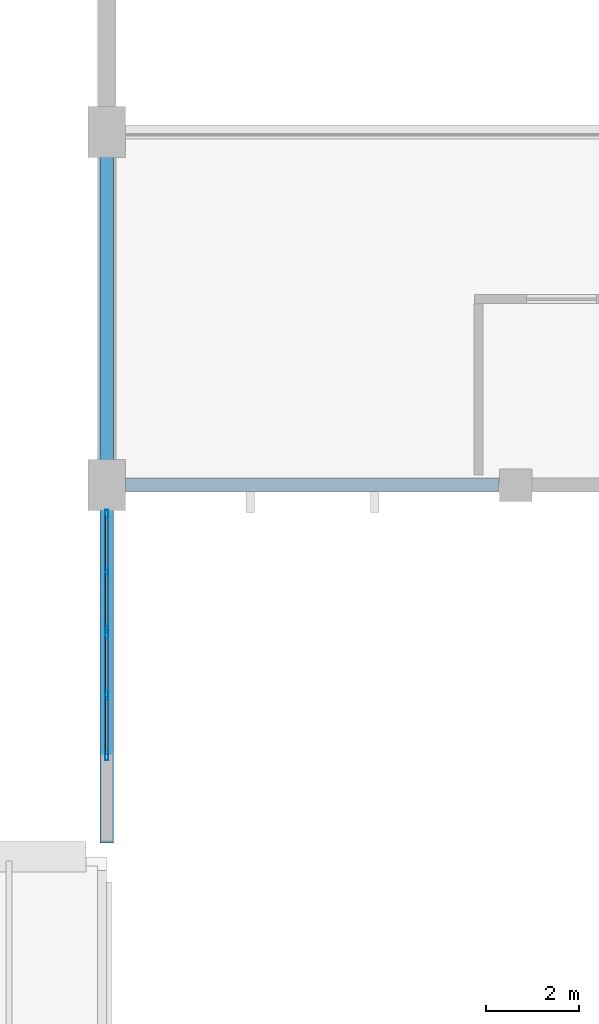
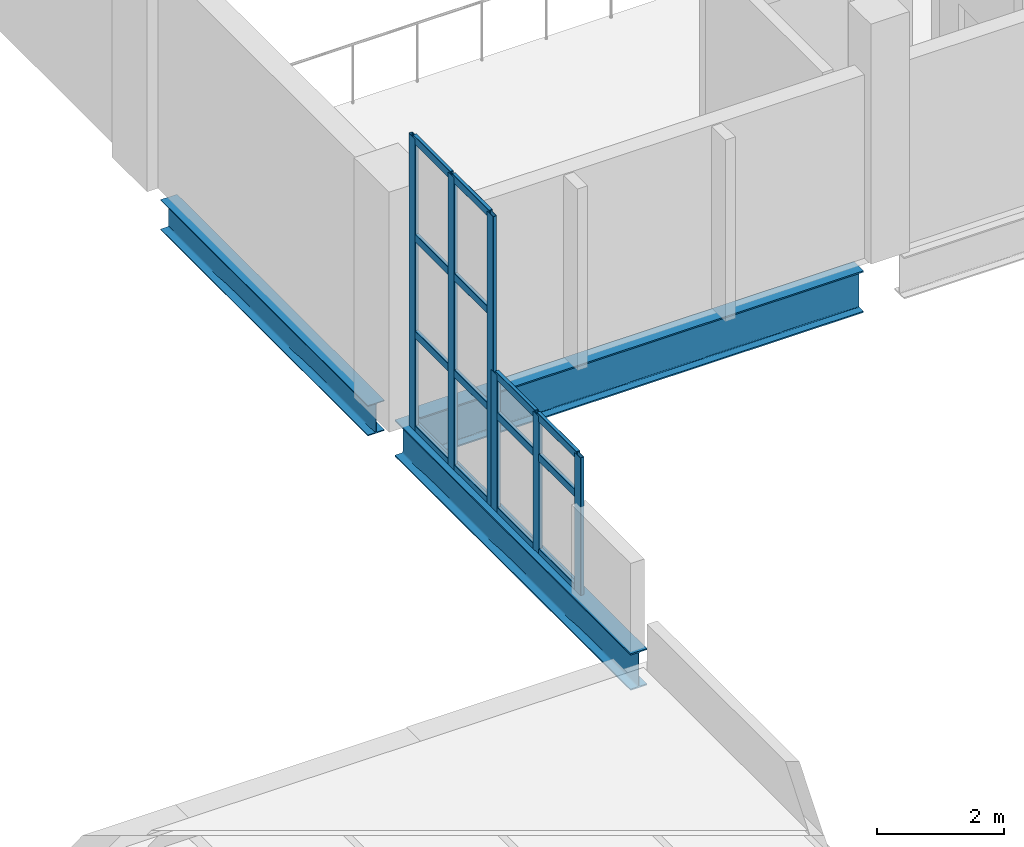
# One storey, part 12 of 37: 20 members, 3 beams, 2 elements without a shape of their own.
"""IFC4 building model written with IfcOpenShell, lengths in metres."""

from ifc_helpers import new_model, si_unit, direction, frame, origin, origin_2d, place, context, subcontext, project, spatial, hollow_rectangle, i_section, extrude, material, material_profile, profile_set, type_object, element, aggregate, save


model = new_model("IFC4")

# Units and contexts
model_context = context("Model", 3, precision=1e-05, world=origin(), true_north=direction((0.0, 1.0)))
body_context = subcontext(model_context, "Body", "Model", "MODEL_VIEW")
ifc_project = project(units=[si_unit("LENGTHUNIT", "METRE"), si_unit("AREAUNIT", "SQUARE_METRE"), si_unit("VOLUMEUNIT", "CUBIC_METRE"), si_unit("PLANEANGLEUNIT", "RADIAN"), si_unit("MASSUNIT", "GRAM", prefix="KILO")], contexts=[model_context])

# Site, building, storey
site_placement = place(None, origin())
site = spatial("IfcSite", under=ifc_project, at=site_placement, CompositionType="ELEMENT")
building_placement = place(site_placement, origin())
building = spatial("IfcBuilding", under=site, at=building_placement, Name="Shengluoqiao Park Theatre", CompositionType="ELEMENT")
storey_placement = place(building_placement, frame((0.0, 0.0, 19.199951171875)))
storey = spatial("IfcBuildingStorey", under=building, at=storey_placement, Name="L04", CompositionType="ELEMENT", Elevation=19.199951171875)

# Curtain wall, members
ifc_material_1 = material(Name="Aluminium 6063-T6", Category="aluminium")
curtain_wall_type = type_object("IfcCurtainWallType", Name="ENV-CW-CLERE", PredefinedType="NOTDEFINED", material=ifc_material_1)
curtain_wall_1_placement = place(storey_placement, origin())
curtain_wall_1 = element("IfcCurtainWall", 1, at=curtain_wall_1_placement, inside=storey, type_object=curtain_wall_type, Name="L04 Curtain Wall CW-L04-EGABLE-0230", PredefinedType="NOTDEFINED")
ifc_material_profile_1 = material_profile(ifc_material_1, hollow_rectangle(XDim=0.06494140625, YDim=0.199951171875, WallThickness=0.0048828125, InnerFilletRadius=0.0048828125, OuterFilletRadius=0.010009765625, at=origin_2d()), Name="ALU MULLION 200x65x5")
ifc_profile_set_1 = profile_set([ifc_material_profile_1], Name="Aluminium 6063-T6")
member_type_1 = type_object("IfcMemberType", Name="ENV-MUL-200", PredefinedType="MULLION", material=ifc_profile_set_1)
member_1_placement = place(storey_placement, frame((86.39990234375, 78.172607421875, 0.0), z_axis=(0.0, 0.0, 1.0), x_axis=(-1.0, 0.0, 0.0)))
member_1 = element("IfcMember", 2, at=member_1_placement, type_object=member_type_1, Name="CW-06 mullion 1", PredefinedType="MULLION", context=body_context, shape_type="SweptSolid", body=[
    extrude(hollow_rectangle(XDim=0.06494140625, YDim=0.199951171875, WallThickness=0.0048828125, InnerFilletRadius=0.0048828125, OuterFilletRadius=0.010009765625, at=origin_2d()), origin(), (0.0, 0.0, 1.0), 2.638427734375),
])
member_2_placement = place(storey_placement, frame((86.39990234375, 79.47998046875, 0.0), z_axis=(0.0, 0.0, 1.0), x_axis=(-1.0, 0.0, 0.0)))
member_2 = element("IfcMember", 3, at=member_2_placement, type_object=member_type_1, Name="CW-06 mullion 2", PredefinedType="MULLION", context=body_context, shape_type="SweptSolid", body=[
    extrude(hollow_rectangle(XDim=0.06494140625, YDim=0.199951171875, WallThickness=0.0048828125, InnerFilletRadius=0.0048828125, OuterFilletRadius=0.010009765625, at=origin_2d()), origin(), (0.0, 0.0, 1.0), 2.638427734375),
])
member_3_placement = place(storey_placement, frame((86.39990234375, 80.78759765625, 0.0), z_axis=(0.0, 0.0, 1.0), x_axis=(-1.0, 0.0, 0.0)))
member_3 = element("IfcMember", 4, at=member_3_placement, type_object=member_type_1, Name="CW-06 mullion 3", PredefinedType="MULLION", context=body_context, shape_type="SweptSolid", body=[
    extrude(hollow_rectangle(XDim=0.06494140625, YDim=0.199951171875, WallThickness=0.0048828125, InnerFilletRadius=0.0048828125, OuterFilletRadius=0.010009765625, at=origin_2d()), origin(), (0.0, 0.0, 1.0), 2.638427734375),
])

curtain_wall_2_placement = place(storey_placement, origin())
curtain_wall_2 = element("IfcCurtainWall", 5, at=curtain_wall_2_placement, inside=storey, type_object=curtain_wall_type, Name="L04 Curtain Wall CW-L04-EGABLE-0231", PredefinedType="NOTDEFINED")
member_4_placement = place(storey_placement, frame((86.39990234375, 80.91259765625, 0.0), z_axis=(0.0, 0.0, 1.0), x_axis=(-1.0, 0.0, 0.0)))
member_4 = element("IfcMember", 6, at=member_4_placement, type_object=member_type_1, Name="CW-06 mullion 1", PredefinedType="MULLION", context=body_context, shape_type="SweptSolid", body=[
    extrude(hollow_rectangle(XDim=0.06494140625, YDim=0.199951171875, WallThickness=0.0048828125, InnerFilletRadius=0.0048828125, OuterFilletRadius=0.010009765625, at=origin_2d()), origin(), (0.0, 0.0, 1.0), 5.601318359375),
])
member_5_placement = place(storey_placement, frame((86.39990234375, 82.139892578125, 0.0), z_axis=(0.0, 0.0, 1.0), x_axis=(-1.0, 0.0, 0.0)))
member_5 = element("IfcMember", 7, at=member_5_placement, type_object=member_type_1, Name="CW-06 mullion 2", PredefinedType="MULLION", context=body_context, shape_type="SweptSolid", body=[
    extrude(hollow_rectangle(XDim=0.06494140625, YDim=0.199951171875, WallThickness=0.0048828125, InnerFilletRadius=0.0048828125, OuterFilletRadius=0.010009765625, at=origin_2d()), origin(), (0.0, 0.0, 1.0), 5.601318359375),
])
member_6_placement = place(storey_placement, frame((86.39990234375, 83.367431640625, 0.0), z_axis=(0.0, 0.0, 1.0), x_axis=(-1.0, 0.0, 0.0)))
member_6 = element("IfcMember", 8, at=member_6_placement, type_object=member_type_1, Name="CW-06 mullion 3", PredefinedType="MULLION", context=body_context, shape_type="SweptSolid", body=[
    extrude(hollow_rectangle(XDim=0.06494140625, YDim=0.199951171875, WallThickness=0.0048828125, InnerFilletRadius=0.0048828125, OuterFilletRadius=0.010009765625, at=origin_2d()), origin(), (0.0, 0.0, 1.0), 5.601318359375),
])

# Member
ifc_material_profile_2 = material_profile(ifc_material_1, hollow_rectangle(XDim=0.06494140625, YDim=0.14990234375, WallThickness=0.00390625, InnerFilletRadius=0.00390625, OuterFilletRadius=0.008056640625, at=origin_2d()), Name="ALU TRANSOM 150x65x4")
ifc_profile_set_2 = profile_set([ifc_material_profile_2], Name="Aluminium 6063-T6")
member_type_2 = type_object("IfcMemberType", Name="ENV-TRN-150", PredefinedType="USERDEFINED", material=ifc_profile_set_2)
member_7_placement = place(storey_placement, frame((86.39990234375, 78.205078125, 0.032470703125), z_axis=(0.0, 1.0, 0.0), x_axis=(-1.0, 0.0, 0.0)))
member_7 = element("IfcMember", 9, at=member_7_placement, type_object=member_type_2, Name="CW-06 transom 1.1", ObjectType="TRANSOM", PredefinedType="USERDEFINED", context=body_context, shape_type="SweptSolid", body=[
    extrude(hollow_rectangle(XDim=0.06494140625, YDim=0.14990234375, WallThickness=0.00390625, InnerFilletRadius=0.00390625, OuterFilletRadius=0.008056640625, at=origin_2d()), origin(), (0.0, 0.0, 1.0), 1.242431640625),
])

member_8_placement = place(storey_placement, frame((86.39990234375, 78.205078125, 1.85009765625), z_axis=(0.0, 1.0, 0.0), x_axis=(-1.0, 0.0, 0.0)))
member_8 = element("IfcMember", 10, at=member_8_placement, type_object=member_type_2, Name="CW-06 transom 1.2", ObjectType="TRANSOM", PredefinedType="USERDEFINED", context=body_context, shape_type="SweptSolid", body=[
    extrude(hollow_rectangle(XDim=0.06494140625, YDim=0.14990234375, WallThickness=0.00390625, InnerFilletRadius=0.00390625, OuterFilletRadius=0.008056640625, at=origin_2d()), origin(), (0.0, 0.0, 1.0), 1.242431640625),
])

member_9_placement = place(storey_placement, frame((86.39990234375, 78.205078125, 2.60595703125), z_axis=(0.0, 1.0, 0.0), x_axis=(-1.0, 0.0, 0.0)))
member_9 = element("IfcMember", 11, at=member_9_placement, type_object=member_type_2, Name="CW-06 transom 1.3", ObjectType="TRANSOM", PredefinedType="USERDEFINED", context=body_context, shape_type="SweptSolid", body=[
    extrude(hollow_rectangle(XDim=0.06494140625, YDim=0.14990234375, WallThickness=0.00390625, InnerFilletRadius=0.00390625, OuterFilletRadius=0.008056640625, at=origin_2d()), origin(), (0.0, 0.0, 1.0), 1.242431640625),
])

member_10_placement = place(storey_placement, frame((86.39990234375, 79.512451171875, 0.032470703125), z_axis=(0.0, 1.0, 0.0), x_axis=(-1.0, 0.0, 0.0)))
member_10 = element("IfcMember", 12, at=member_10_placement, type_object=member_type_2, Name="CW-06 transom 2.1", ObjectType="TRANSOM", PredefinedType="USERDEFINED", context=body_context, shape_type="SweptSolid", body=[
    extrude(hollow_rectangle(XDim=0.06494140625, YDim=0.14990234375, WallThickness=0.00390625, InnerFilletRadius=0.00390625, OuterFilletRadius=0.008056640625, at=origin_2d()), origin(), (0.0, 0.0, 1.0), 1.242431640625),
])

member_11_placement = place(storey_placement, frame((86.39990234375, 79.512451171875, 1.85009765625), z_axis=(0.0, 1.0, 0.0), x_axis=(-1.0, 0.0, 0.0)))
member_11 = element("IfcMember", 13, at=member_11_placement, type_object=member_type_2, Name="CW-06 transom 2.2", ObjectType="TRANSOM", PredefinedType="USERDEFINED", context=body_context, shape_type="SweptSolid", body=[
    extrude(hollow_rectangle(XDim=0.06494140625, YDim=0.14990234375, WallThickness=0.00390625, InnerFilletRadius=0.00390625, OuterFilletRadius=0.008056640625, at=origin_2d()), origin(), (0.0, 0.0, 1.0), 1.242431640625),
])

member_12_placement = place(storey_placement, frame((86.39990234375, 79.512451171875, 2.60595703125), z_axis=(0.0, 1.0, 0.0), x_axis=(-1.0, 0.0, 0.0)))
member_12 = element("IfcMember", 14, at=member_12_placement, type_object=member_type_2, Name="CW-06 transom 2.3", ObjectType="TRANSOM", PredefinedType="USERDEFINED", context=body_context, shape_type="SweptSolid", body=[
    extrude(hollow_rectangle(XDim=0.06494140625, YDim=0.14990234375, WallThickness=0.00390625, InnerFilletRadius=0.00390625, OuterFilletRadius=0.008056640625, at=origin_2d()), origin(), (0.0, 0.0, 1.0), 1.242431640625),
])

aggregate(curtain_wall_1, [member_1, member_2, member_3, member_7, member_8, member_9, member_10, member_11, member_12])

member_13_placement = place(storey_placement, frame((86.39990234375, 80.945068359375, 0.032470703125), z_axis=(0.0, 1.0, 0.0), x_axis=(-1.0, 0.0, 0.0)))
member_13 = element("IfcMember", 15, at=member_13_placement, type_object=member_type_2, Name="CW-06 transom 1.1", ObjectType="TRANSOM", PredefinedType="USERDEFINED", context=body_context, shape_type="SweptSolid", body=[
    extrude(hollow_rectangle(XDim=0.06494140625, YDim=0.14990234375, WallThickness=0.00390625, InnerFilletRadius=0.00390625, OuterFilletRadius=0.008056640625, at=origin_2d()), origin(), (0.0, 0.0, 1.0), 1.162353515625),
])

member_14_placement = place(storey_placement, frame((86.39990234375, 80.945068359375, 1.85009765625), z_axis=(0.0, 1.0, 0.0), x_axis=(-1.0, 0.0, 0.0)))
member_14 = element("IfcMember", 16, at=member_14_placement, type_object=member_type_2, Name="CW-06 transom 1.2", ObjectType="TRANSOM", PredefinedType="USERDEFINED", context=body_context, shape_type="SweptSolid", body=[
    extrude(hollow_rectangle(XDim=0.06494140625, YDim=0.14990234375, WallThickness=0.00390625, InnerFilletRadius=0.00390625, OuterFilletRadius=0.008056640625, at=origin_2d()), origin(), (0.0, 0.0, 1.0), 1.162353515625),
])

member_15_placement = place(storey_placement, frame((86.39990234375, 80.945068359375, 3.699951171875), z_axis=(0.0, 1.0, 0.0), x_axis=(-1.0, 0.0, 0.0)))
member_15 = element("IfcMember", 17, at=member_15_placement, type_object=member_type_2, Name="CW-06 transom 1.3", ObjectType="TRANSOM", PredefinedType="USERDEFINED", context=body_context, shape_type="SweptSolid", body=[
    extrude(hollow_rectangle(XDim=0.06494140625, YDim=0.14990234375, WallThickness=0.00390625, InnerFilletRadius=0.00390625, OuterFilletRadius=0.008056640625, at=origin_2d()), origin(), (0.0, 0.0, 1.0), 1.162353515625),
])

member_16_placement = place(storey_placement, frame((86.39990234375, 80.945068359375, 5.56884765625), z_axis=(0.0, 1.0, 0.0), x_axis=(-1.0, 0.0, 0.0)))
member_16 = element("IfcMember", 18, at=member_16_placement, type_object=member_type_2, Name="CW-06 transom 1.4", ObjectType="TRANSOM", PredefinedType="USERDEFINED", context=body_context, shape_type="SweptSolid", body=[
    extrude(hollow_rectangle(XDim=0.06494140625, YDim=0.14990234375, WallThickness=0.00390625, InnerFilletRadius=0.00390625, OuterFilletRadius=0.008056640625, at=origin_2d()), origin(), (0.0, 0.0, 1.0), 1.162353515625),
])

member_17_placement = place(storey_placement, frame((86.39990234375, 82.172607421875, 0.032470703125), z_axis=(0.0, 1.0, 0.0), x_axis=(-1.0, 0.0, 0.0)))
member_17 = element("IfcMember", 19, at=member_17_placement, type_object=member_type_2, Name="CW-06 transom 2.1", ObjectType="TRANSOM", PredefinedType="USERDEFINED", context=body_context, shape_type="SweptSolid", body=[
    extrude(hollow_rectangle(XDim=0.06494140625, YDim=0.14990234375, WallThickness=0.00390625, InnerFilletRadius=0.00390625, OuterFilletRadius=0.008056640625, at=origin_2d()), origin(), (0.0, 0.0, 1.0), 1.162353515625),
])

member_18_placement = place(storey_placement, frame((86.39990234375, 82.172607421875, 1.85009765625), z_axis=(0.0, 1.0, 0.0), x_axis=(-1.0, 0.0, 0.0)))
member_18 = element("IfcMember", 20, at=member_18_placement, type_object=member_type_2, Name="CW-06 transom 2.2", ObjectType="TRANSOM", PredefinedType="USERDEFINED", context=body_context, shape_type="SweptSolid", body=[
    extrude(hollow_rectangle(XDim=0.06494140625, YDim=0.14990234375, WallThickness=0.00390625, InnerFilletRadius=0.00390625, OuterFilletRadius=0.008056640625, at=origin_2d()), origin(), (0.0, 0.0, 1.0), 1.162353515625),
])

member_19_placement = place(storey_placement, frame((86.39990234375, 82.172607421875, 3.699951171875), z_axis=(0.0, 1.0, 0.0), x_axis=(-1.0, 0.0, 0.0)))
member_19 = element("IfcMember", 21, at=member_19_placement, type_object=member_type_2, Name="CW-06 transom 2.3", ObjectType="TRANSOM", PredefinedType="USERDEFINED", context=body_context, shape_type="SweptSolid", body=[
    extrude(hollow_rectangle(XDim=0.06494140625, YDim=0.14990234375, WallThickness=0.00390625, InnerFilletRadius=0.00390625, OuterFilletRadius=0.008056640625, at=origin_2d()), origin(), (0.0, 0.0, 1.0), 1.162353515625),
])

member_20_placement = place(storey_placement, frame((86.39990234375, 82.172607421875, 5.56884765625), z_axis=(0.0, 1.0, 0.0), x_axis=(-1.0, 0.0, 0.0)))
member_20 = element("IfcMember", 22, at=member_20_placement, type_object=member_type_2, Name="CW-06 transom 2.4", ObjectType="TRANSOM", PredefinedType="USERDEFINED", context=body_context, shape_type="SweptSolid", body=[
    extrude(hollow_rectangle(XDim=0.06494140625, YDim=0.14990234375, WallThickness=0.00390625, InnerFilletRadius=0.00390625, OuterFilletRadius=0.008056640625, at=origin_2d()), origin(), (0.0, 0.0, 1.0), 1.162353515625),
])

aggregate(curtain_wall_2, [member_4, member_5, member_6, member_13, member_14, member_15, member_16, member_17, member_18, member_19, member_20])

# Beams
ifc_material_2 = material(Name="Steel Q355", Category="steel")
ifc_material_profile_3 = material_profile(ifc_material_2, i_section(OverallWidth=0.300048828125, OverallDepth=0.58203125, WebThickness=0.011962890625, FlangeThickness=0.01708984375, FilletRadius=0.02392578125, at=origin_2d()), Name="HM 582x300x12x17")
ifc_profile_set_3 = profile_set([ifc_material_profile_3], Name="Steel Q355")
beam_type_1 = type_object("IfcBeamType", Name="STR-BM-G-HM582", PredefinedType="BEAM", material=ifc_profile_set_3)
beam_1_placement = place(storey_placement, frame((86.39990234375, 84.5439453125, -0.531005859375), z_axis=(0.0, 1.0, 0.0), x_axis=(-1.0, 0.0, 0.0)))
element("IfcBeam", 23, at=beam_1_placement, inside=storey, type_object=beam_type_1, Name="L04 Transverse Girder 01517", PredefinedType="BEAM", context=body_context, shape_type="SweptSolid", body=[
    extrude(i_section(OverallWidth=0.300048828125, OverallDepth=0.58203125, WebThickness=0.011962890625, FlangeThickness=0.01708984375, FilletRadius=0.02392578125, at=origin_2d()), origin(), (0.0, 0.0, 1.0), 6.511962890625),
])
ifc_material_3 = material(Name="Steel Q390", Category="steel")
ifc_material_profile_4 = material_profile(ifc_material_3, i_section(OverallWidth=0.300048828125, OverallDepth=0.699951171875, WebThickness=0.012939453125, FlangeThickness=0.02392578125, FilletRadius=0.02392578125, at=origin_2d()), Name="HN 700x300x13x24")
ifc_profile_set_4 = profile_set([ifc_material_profile_4], Name="Steel Q390")
beam_type_2 = type_object("IfcBeamType", Name="STR-BM-G-HN700", PredefinedType="BEAM", material=ifc_profile_set_4)
beam_2_placement = place(storey_placement, frame((86.39990234375, 76.300048828125, -0.349853515625), z_axis=(0.0, 1.0, 0.0), x_axis=(-1.0, 0.0, 0.0)))
element("IfcBeam", 24, at=beam_2_placement, inside=storey, type_object=beam_type_2, Name="V1 East Gable South Sill Girder", PredefinedType="BEAM", context=body_context, shape_type="SweptSolid", body=[
    extrude(i_section(OverallWidth=0.300048828125, OverallDepth=0.699951171875, WebThickness=0.012939453125, FlangeThickness=0.02392578125, FilletRadius=0.02392578125, at=origin_2d()), origin(), (0.0, 0.0, 1.0), 7.39990234375),
])
ifc_material_profile_5 = material_profile(ifc_material_3, i_section(OverallWidth=0.300048828125, OverallDepth=0.800048828125, WebThickness=0.013916015625, FlangeThickness=0.02587890625, FilletRadius=0.02587890625, at=origin_2d()), Name="HN 800x300x14x26")
ifc_profile_set_5 = profile_set([ifc_material_profile_5], Name="Steel Q390")
beam_type_3 = type_object("IfcBeamType", Name="STR-BM-G-HN800", PredefinedType="BEAM", material=ifc_profile_set_5)
beam_3_placement = place(storey_placement, frame((86.7939453125, 84.0, -0.639892578125), z_axis=(1.0, 0.0, 0.0), x_axis=(0.0, 1.0, 0.0)))
element("IfcBeam", 25, at=beam_3_placement, inside=storey, type_object=beam_type_3, Name="L04 Primary Girder 01512", PredefinedType="BEAM", context=body_context, shape_type="SweptSolid", body=[
    extrude(i_section(OverallWidth=0.300048828125, OverallDepth=0.800048828125, WebThickness=0.013916015625, FlangeThickness=0.02587890625, FilletRadius=0.02587890625, at=origin_2d()), origin(), (0.0, 0.0, 1.0), 8.037109375),
])

save(model, "model.ifc")
